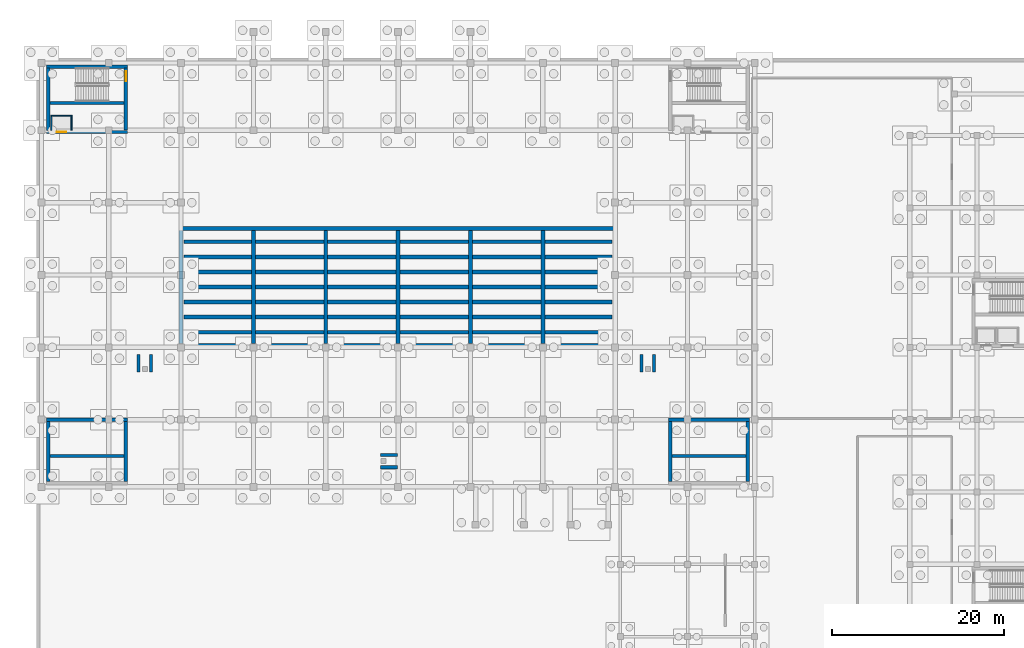
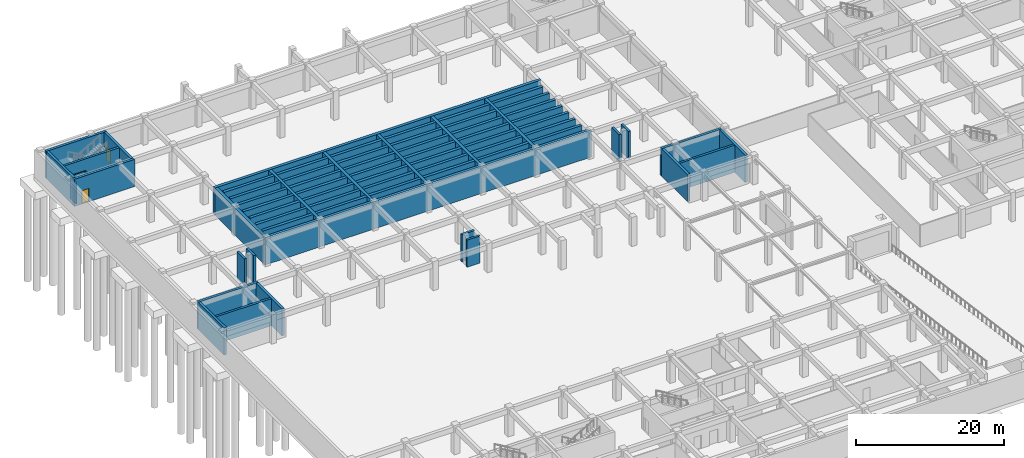
# One storey, part 20 of 35: 37 walls, 2 doors, 2 openings.
"""IFC4 building model written with IfcOpenShell, lengths in metres."""

import ifcopenshell
import ifcopenshell.guid

model = None  # the IFC model being written
_history = None  # IfcOwnerHistory: only IFC2X3 demands one
_inside = {}  # id of a spatial element -> (the spatial element, [elements in it])
_under = {}  # id of a project, library or spatial element -> (it, [spatial elements below it])
_declared = {}  # id of a project -> (the project, [libraries it declares])
_typed = {}  # id of a type object -> (the type object, [elements of that type])
_made_of = {}  # id of a material, layer set ... -> (it, [elements and type objects made of it])


def new_model(schema):
    """Start an empty IFC model of exactly this schema.

    Asked for "IFC4X3", IfcOpenShell would pick the latest addendum, in which some entities
    have other attributes; the version numbers below select the first issue.
    IFC2X3 requires an IfcOwnerHistory on every rooted entity: one is made here for all.
    """
    global model, _history
    if schema == "IFC4X3":
        model = ifcopenshell.file(schema_version=(4, 3, 0, 0))
    else:
        model = ifcopenshell.file(schema=schema)
    _inside.clear()
    _under.clear()
    _declared.clear()
    _typed.clear()
    _made_of.clear()
    _history = None
    if model.schema == "IFC2X3":
        org = make("IfcOrganization", Name="unknown")
        user = make(
            "IfcPersonAndOrganization",
            ThePerson=make("IfcPerson", FamilyName="unknown"),
            TheOrganization=org,
        )
        app = make(
            "IfcApplication",
            ApplicationDeveloper=org,
            Version="unknown",
            ApplicationFullName="unknown",
            ApplicationIdentifier="unknown",
        )
        _history = make(
            "IfcOwnerHistory",
            OwningUser=user,
            OwningApplication=app,
            ChangeAction="ADDED",
            CreationDate=0,
        )
    return model


def make(cls, **values):
    """One entity of the class cls with the attributes given. An attribute that is None is left unset."""
    return model.create_entity(
        cls, **{name: value for name, value in values.items() if value is not None}
    )


def rooted(cls, **values):
    """An entity with a GlobalId (a new one), such as an element, a storey or a relation."""
    return make(cls, GlobalId=ifcopenshell.guid.new(), OwnerHistory=_history, **values)


def si_unit(unit_type, name, prefix=None):
    """IfcSIUnit, for example si_unit("LENGTHUNIT", "METRE", prefix="MILLI")."""
    return make("IfcSIUnit", UnitType=unit_type, Prefix=prefix, Name=name)


def assignment(units):
    """IfcUnitAssignment: the units of a project."""
    return None if units is None else make("IfcUnitAssignment", Units=units)


def point(xyz):
    """IfcCartesianPoint."""
    return None if xyz is None else make("IfcCartesianPoint", Coordinates=xyz)


def direction(xyz):
    """IfcDirection."""
    return None if xyz is None else make("IfcDirection", DirectionRatios=xyz)


def frame(location, z_axis=None, x_axis=None):
    """IfcAxis2Placement3D, a coordinate frame: its origin and axes. An axis left out is left unset."""
    return make(
        "IfcAxis2Placement3D",
        Location=point(location),
        Axis=direction(z_axis),
        RefDirection=direction(x_axis),
    )


def frame_2d(location, x_axis=None):
    """IfcAxis2Placement2D, a coordinate frame in the plane: its origin and x axis."""
    return make(
        "IfcAxis2Placement2D", Location=point(location), RefDirection=direction(x_axis)
    )


def origin():
    """The frame at (0, 0, 0) with its axes left unset."""
    return frame((0.0, 0.0, 0.0))


def place(relative_to, where):
    """IfcLocalPlacement: puts the frame where relative to a parent placement (None: the world)."""
    return make(
        "IfcLocalPlacement", PlacementRelTo=relative_to, RelativePlacement=where
    )


def context(
    kind, dimensions, precision=None, world=None, true_north=None, identifier=None
):
    """IfcGeometricRepresentationContext, for example the 3D "Model" context."""
    return make(
        "IfcGeometricRepresentationContext",
        ContextIdentifier=identifier,
        ContextType=kind,
        CoordinateSpaceDimension=dimensions,
        Precision=precision,
        WorldCoordinateSystem=world,
        TrueNorth=true_north,
    )


def subcontext(parent, identifier, kind, view, scale=None):
    """IfcGeometricRepresentationSubContext, for example "Body" below "Model"."""
    return make(
        "IfcGeometricRepresentationSubContext",
        ContextIdentifier=identifier,
        ContextType=kind,
        ParentContext=parent,
        TargetScale=scale,
        TargetView=view,
    )


def project(units=None, contexts=None):
    """IfcProject with its units and contexts."""
    return rooted(
        "IfcProject",
        Name="project",
        RepresentationContexts=contexts,
        UnitsInContext=assignment(units),
    )


def spatial(cls, under=None, at=None, **own):
    """A site, building, storey or space (cls), placed at a placement, below another one or the project."""
    s = rooted(cls, ObjectPlacement=at, **own)
    if under is not None:
        _under.setdefault(under.id(), (under, []))[1].append(s)
    return s


def profile(cls, at=None, kind="AREA", **sizes):
    """A parametric profile (cls). Its sizes go by their IFC names, for example OverallWidth=200.0."""
    return make(cls, ProfileType=kind, Position=at, **sizes)


def rectangle(**sizes):
    """IfcRectangleProfileDef."""
    return profile("IfcRectangleProfileDef", **sizes)


def extrude(swept, where, along, depth):
    """IfcExtrudedAreaSolid: the profile swept, set in the frame where, extruded along a direction by depth."""
    return make(
        "IfcExtrudedAreaSolid",
        SweptArea=swept,
        Position=where,
        ExtrudedDirection=direction(along),
        Depth=depth,
    )


def shape(context_of_items, identifier, shape_type, items):
    """IfcShapeRepresentation: the items that make up one representation, for example the "Body"."""
    return make(
        "IfcShapeRepresentation",
        ContextOfItems=context_of_items,
        RepresentationIdentifier=identifier,
        RepresentationType=shape_type,
        Items=items,
    )


def material(Name=None, Category=None):
    """IfcMaterial."""
    return make("IfcMaterial", Name=Name, Category=Category)


def layer(
    of_material, thickness, ventilated=None, Name=None, Category=None, Priority=None
):
    """IfcMaterialLayer: one layer of a wall or slab, of a material (None: an air gap)."""
    return make(
        "IfcMaterialLayer",
        Material=of_material,
        LayerThickness=thickness,
        IsVentilated=ventilated,
        Name=Name,
        Category=Category,
        Priority=Priority,
    )


def layer_set(layers, Name=None):
    """IfcMaterialLayerSet."""
    return make("IfcMaterialLayerSet", MaterialLayers=layers, LayerSetName=Name)


def made_of(thing, what):
    """Note that an element or type object is made of a material, layer set ...; save() writes the relation."""
    if what is not None:
        _made_of.setdefault(what.id(), (what, []))[1].append(thing)
    return thing


def type_object(cls, material=None, **own):
    """A type object (cls), such as IfcWallType, which elements share."""
    return made_of(rooted(cls, **own), material)


def element(
    cls,
    number,
    at=None,
    inside=None,
    cuts=None,
    type_object=None,
    material=None,
    context=None,
    identifier="Body",
    shape_type=None,
    held_by="IfcProductDefinitionShape",
    body=None,
    shapes=None,
    **own,
):
    """One element of the class cls, such as IfcWall. Its Tag is "e" and its number.

    at: its placement. inside: the storey or other place that contains it. cuts: it is an
    opening in that element (IfcRelVoidsElement). A single representation is given by context,
    identifier, shape_type and body (its items); several are given by shapes. held_by: the class
    of the entity that holds the representations. save() writes the other relations.
    """
    e = rooted(cls, Tag="e%d" % number, ObjectPlacement=at, **own)
    if body is not None:
        shapes = [shape(context, identifier, shape_type, body)]
    if shapes is not None:
        e.Representation = make(held_by, Representations=shapes)
    if inside is not None:
        _inside.setdefault(inside.id(), (inside, []))[1].append(e)
    if cuts is not None:
        rooted(
            "IfcRelVoidsElement", RelatingBuildingElement=cuts, RelatedOpeningElement=e
        )
    if type_object is not None:
        _typed.setdefault(type_object.id(), (type_object, []))[1].append(e)
    return made_of(e, material)


def fill(opening, filler):
    """IfcRelFillsElement: the door or window that sits in an opening."""
    return rooted(
        "IfcRelFillsElement",
        RelatingOpeningElement=opening,
        RelatedBuildingElement=filler,
    )


def aggregate(whole, parts):
    """IfcRelAggregates: a whole, such as a stair, and the parts it consists of."""
    return rooted("IfcRelAggregates", RelatingObject=whole, RelatedObjects=parts)


def save(model, path):
    """Write the relations noted so far, then the file.

    IfcRelAggregates (storeys below a building ...), IfcRelContainedInSpatialStructure (elements
    in a storey), IfcRelDefinesByType, IfcRelAssociatesMaterial and IfcRelDeclares: one each for
    every whole, place, type object, material and project.
    """
    for whole, parts in _under.values():
        aggregate(whole, parts)
    for where, things in _inside.values():
        rooted(
            "IfcRelContainedInSpatialStructure",
            RelatedElements=things,
            RelatingStructure=where,
        )
    for kind, things in _typed.values():
        rooted("IfcRelDefinesByType", RelatedObjects=things, RelatingType=kind)
    for what, things in _made_of.values():
        rooted("IfcRelAssociatesMaterial", RelatedObjects=things, RelatingMaterial=what)
    for by, libraries in _declared.values():
        rooted("IfcRelDeclares", RelatingContext=by, RelatedDefinitions=libraries)
    model.write(path)


model = new_model("IFC4")

# Units and contexts
model_context = context("Model", 3, precision=1e-05, world=origin(), true_north=direction((0.0, 1.0)))
body_context = subcontext(model_context, "Body", "Model", "MODEL_VIEW")
ifc_project = project(units=[si_unit("LENGTHUNIT", "METRE"), si_unit("AREAUNIT", "SQUARE_METRE"), si_unit("VOLUMEUNIT", "CUBIC_METRE"), si_unit("PLANEANGLEUNIT", "RADIAN"), si_unit("MASSUNIT", "GRAM", prefix="KILO")], contexts=[model_context])

# Site, building, storey
site_placement = place(None, origin())
site = spatial("IfcSite", under=ifc_project, at=site_placement, CompositionType="ELEMENT")
building_placement = place(site_placement, origin())
building = spatial("IfcBuilding", under=site, at=building_placement, Name="Zayran Congress Hotel", CompositionType="ELEMENT")
storey_placement = place(building_placement, frame((0.0, 0.0, -4.800048828125)))
storey = spatial("IfcBuildingStorey", under=building, at=storey_placement, Name="B1", CompositionType="ELEMENT", Elevation=-4.800048828125)

# Walls
ifc_material_1 = material(Name="Concrete C32/40", Category="concrete")
ifc_layer_1 = layer(ifc_material_1, 0.449951171875)
ifc_layer_set_1 = layer_set([ifc_layer_1], Name="Concrete C32/40")
wall_type_1 = type_object("IfcWallType", Name="WL-RT-450", PredefinedType="USERDEFINED", material=ifc_layer_set_1)
for number, where, z_axis, x_axis, name in (
    (1, (24.97509765625, 84.625, 0.0), (0.0, 0.0, 1.0), (1.0, 0.0, 0.0), "RKWALL-B1-BACK"),
    (2, (24.97509765625, 98.175048828125, 0.0), (0.0, 0.0, 1.0), (1.0, 0.0, 0.0), "RKWALL-B1-FRONT"),
):
    element("IfcWall", number, at=place(storey_placement, frame(where, z_axis=z_axis, x_axis=x_axis)), inside=storey, type_object=wall_type_1, Name=name, ObjectType="RETAININGWALL", PredefinedType="USERDEFINED", context=body_context, shape_type="SweptSolid", body=[
        extrude(rectangle(XDim=50.849853515625, YDim=0.449951171875, at=frame_2d((25.4248046875, 0.0))), origin(), (0.0, 0.0, 1.0), 4.47998046875),
    ])
for number, where, z_axis, x_axis, name in (
    (3, (25.199951171875, 84.85009765625, 0.0), (0.0, 0.0, 1.0), (0.0, 1.0, 0.0), "RKWALL-B1-25"),
    (4, (33.60009765625, 84.85009765625, 0.0), (0.0, 0.0, 1.0), (0.0, 1.0, 0.0), "RKWALL-B1-33"),
    (5, (42.0, 84.85009765625, 0.0), (0.0, 0.0, 1.0), (0.0, 1.0, 0.0), "RKWALL-B1-42"),
    (6, (50.39990234375, 84.85009765625, 0.0), (0.0, 0.0, 1.0), (0.0, 1.0, 0.0), "RKWALL-B1-50"),
    (7, (58.800048828125, 84.85009765625, 0.0), (0.0, 0.0, 1.0), (0.0, 1.0, 0.0), "RKWALL-B1-58"),
    (8, (67.199951171875, 84.85009765625, 0.0), (0.0, 0.0, 1.0), (0.0, 1.0, 0.0), "RKWALL-B1-67"),
):
    element("IfcWall", number, at=place(storey_placement, frame(where, z_axis=z_axis, x_axis=x_axis)), inside=storey, type_object=wall_type_1, Name=name, ObjectType="RETAININGWALL", PredefinedType="USERDEFINED", context=body_context, shape_type="SweptSolid", body=[
        extrude(rectangle(XDim=13.099853515625, YDim=0.449951171875, at=frame_2d((6.5498046875, 0.0))), origin(), (0.0, 0.0, 1.0), 4.47998046875),
    ])
for number, where, z_axis, x_axis, name in (
    (9, (25.550048828125, 86.14990234375, 0.0), (0.0, 0.0, 1.0), (1.0, 0.0, 0.0), "RKWALL-B1-TJ1"),
    (10, (25.550048828125, 87.89990234375, 0.0), (0.0, 0.0, 1.0), (1.0, 0.0, 0.0), "RKWALL-B1-TJ2"),
    (11, (25.550048828125, 89.64990234375, 0.0), (0.0, 0.0, 1.0), (1.0, 0.0, 0.0), "RKWALL-B1-TJ3"),
    (12, (25.550048828125, 91.39990234375, 0.0), (0.0, 0.0, 1.0), (1.0, 0.0, 0.0), "RKWALL-B1-TJ4"),
    (13, (25.550048828125, 93.14990234375, 0.0), (0.0, 0.0, 1.0), (1.0, 0.0, 0.0), "RKWALL-B1-TJ5"),
    (14, (25.550048828125, 94.89990234375, 0.0), (0.0, 0.0, 1.0), (1.0, 0.0, 0.0), "RKWALL-B1-TJ6"),
    (15, (25.550048828125, 96.64990234375, 0.0), (0.0, 0.0, 1.0), (1.0, 0.0, 0.0), "RKWALL-B1-TJ7"),
):
    element("IfcWall", number, at=place(storey_placement, frame(where, z_axis=z_axis, x_axis=x_axis)), inside=storey, type_object=wall_type_1, Name=name, ObjectType="RETAININGWALL", PredefinedType="USERDEFINED", context=body_context, shape_type="SweptSolid", body=[
        extrude(rectangle(XDim=49.699951171875, YDim=0.449951171875, at=frame_2d((24.85009765625, 0.0))), origin(), (0.0, 0.0, 1.0), 4.47998046875),
    ])

# Wall, opening, door
ifc_material_2 = material(Name="Concrete C40/50", Category="concrete")
ifc_layer_2 = layer(ifc_material_2, 0.39990234375)
ifc_layer_set_2 = layer_set([ifc_layer_2], Name="Concrete C40/50")
wall_type_2 = type_object("IfcWallType", Name="WL-SH-400", PredefinedType="SHEAR", material=ifc_layer_set_2)
wall_1_placement = place(storey_placement, frame((9.60009765625, 109.39990234375, 0.0), z_axis=(0.0, 0.0, 1.0), x_axis=(1.0, 0.0, 0.0)))
wall_1 = element("IfcWall", 16, at=wall_1_placement, inside=storey, type_object=wall_type_2, Name="CWALL-C-V1W-B1-S", PredefinedType="SHEAR", context=body_context, shape_type="SweptSolid", body=[
    extrude(rectangle(XDim=9.39990234375, YDim=0.39990234375, at=frame_2d((4.699951171875, 0.0))), origin(), (0.0, 0.0, 1.0), 4.47998046875),
])
opening_1_placement = place(wall_1_placement, frame((1.14990234375, 0.0, 0.0)))
opening_1 = element("IfcOpeningElement", 17, at=opening_1_placement, cuts=wall_1, Name="Opening LD-PL04", PredefinedType="OPENING", context=body_context, shape_type="SweptSolid", body=[
    extrude(rectangle(XDim=1.10009765625, YDim=2.199951171875, at=frame_2d((0.550048828125, 1.10009765625))), frame((0.0, 0.2099609375, 0.0), z_axis=(0.0, -1.0, 0.0), x_axis=(1.0, 0.0, 0.0)), (0.0, 0.0, 1.0), 0.419921875),
])
ifc_material_3 = material(Name="Brushed stainless steel sliding lift landing door", Category="steel")
door_type_1 = type_object("IfcDoorType", Name="TP-DR-LD-01", OperationType="DOUBLE_DOOR_SLIDING", PredefinedType="DOOR", material=ifc_material_3)
door_1_placement = place(opening_1_placement, origin())
door_1 = element("IfcDoor", 18, at=door_1_placement, inside=storey, type_object=door_type_1, Name="Lift PL-04 Sliding Landing Door B1", OperationType="DOUBLE_DOOR_SLIDING", OverallHeight=2.199951171875, OverallWidth=1.10009765625, PredefinedType="DOOR", context=body_context, shape_type="SweptSolid", body=[
    extrude(rectangle(XDim=1.10009765625, YDim=2.199951171875, at=frame_2d((0.550048828125, 1.10009765625))), frame((0.0, 0.02490234375, 0.0), z_axis=(0.0, -1.0, 0.0), x_axis=(1.0, 0.0, 0.0)), (0.0, 0.0, 1.0), 0.050048828125),
])
fill(opening_1, door_1)

# Walls
wall_2_placement = place(storey_placement, frame((19.0, 116.985107421875, 0.0), z_axis=(0.0, 0.0, 1.0), x_axis=(-1.0, 0.0, 0.0)))
element("IfcWall", 19, at=wall_2_placement, inside=storey, type_object=wall_type_2, Name="CWALL-C-V1W-B1-N", PredefinedType="SHEAR", context=body_context, shape_type="SweptSolid", body=[
    extrude(rectangle(XDim=9.39990234375, YDim=0.39990234375, at=frame_2d((4.699951171875, 0.0))), origin(), (0.0, 0.0, 1.0), 4.47998046875),
])
wall_3_placement = place(storey_placement, frame((9.800048828125, 116.800048828125, 0.0), z_axis=(0.0, 0.0, 1.0), x_axis=(0.0, -1.0, 0.0)))
element("IfcWall", 20, at=wall_3_placement, inside=storey, type_object=wall_type_2, Name="CWALL-C-V1W-B1-W", PredefinedType="SHEAR", context=body_context, shape_type="SweptSolid", body=[
    extrude(rectangle(XDim=7.199951171875, YDim=0.39990234375, at=frame_2d((3.60009765625, 0.0))), origin(), (0.0, 0.0, 1.0), 4.47998046875),
])

# Wall, opening, door
wall_4_placement = place(storey_placement, frame((18.800048828125, 109.60009765625, 0.0), z_axis=(0.0, 0.0, 1.0), x_axis=(0.0, 1.0, 0.0)))
wall_4 = element("IfcWall", 21, at=wall_4_placement, inside=storey, type_object=wall_type_2, Name="CWALL-C-V1W-B1-E", PredefinedType="SHEAR", context=body_context, shape_type="SweptSolid", body=[
    extrude(rectangle(XDim=7.199951171875, YDim=0.39990234375, at=frame_2d((3.60009765625, 0.0))), origin(), (0.0, 0.0, 1.0), 4.47998046875),
])
opening_2_placement = place(wall_4_placement, frame((5.699951171875, 0.0, 0.0)))
opening_2 = element("IfcOpeningElement", 22, at=opening_2_placement, cuts=wall_4, Name="Opening DR-FD-90", PredefinedType="OPENING", context=body_context, shape_type="SweptSolid", body=[
    extrude(rectangle(XDim=1.14990234375, YDim=2.199951171875, at=frame_2d((0.574951171875, 1.10009765625))), frame((0.0, 0.2099609375, 0.0), z_axis=(0.0, -1.0, 0.0), x_axis=(1.0, 0.0, 0.0)), (0.0, 0.0, 1.0), 0.419921875),
])
ifc_material_4 = material(Name="Painted steel fire door assembly", Category="steel")
door_type_2 = type_object("IfcDoorType", Name="TP-DR-FD-90", OperationType="NOTDEFINED", PredefinedType="DOOR", material=ifc_material_4)
door_2_placement = place(opening_2_placement, origin())
door_2 = element("IfcDoor", 23, at=door_2_placement, inside=storey, type_object=door_type_2, Name="ST-03 Exit Stair Door B1", OperationType="SINGLE_SWING_RIGHT", OverallHeight=2.199951171875, OverallWidth=1.14990234375, PredefinedType="DOOR", context=body_context, shape_type="SweptSolid", body=[
    extrude(rectangle(XDim=1.14990234375, YDim=2.199951171875, at=frame_2d((0.574951171875, 1.10009765625))), frame((0.0, 0.02490234375, 0.0), z_axis=(0.0, -1.0, 0.0), x_axis=(1.0, 0.0, 0.0)), (0.0, 0.0, 1.0), 0.050048828125),
])
fill(opening_2, door_2)

# Walls
wall_5_placement = place(storey_placement, frame((19.0, 75.985107421875, 0.0), z_axis=(0.0, 0.0, 1.0), x_axis=(-1.0, 0.0, 0.0)))
element("IfcWall", 24, at=wall_5_placement, inside=storey, type_object=wall_type_2, Name="CWALL-C-V1S-B1-N", PredefinedType="SHEAR", context=body_context, shape_type="SweptSolid", body=[
    extrude(rectangle(XDim=9.39990234375, YDim=0.39990234375, at=frame_2d((4.699951171875, 0.0))), origin(), (0.0, 0.0, 1.0), 4.47998046875),
])
for number, where, z_axis, x_axis, name in (
    (25, (9.800048828125, 75.800048828125, 0.0), (0.0, 0.0, 1.0), (0.0, -1.0, 0.0), "CWALL-C-V1S-B1-W"),
    (26, (18.800048828125, 68.800048828125, 0.0), (0.0, 0.0, 1.0), (0.0, 1.0, 0.0), "CWALL-C-V1S-B1-E"),
):
    element("IfcWall", number, at=place(storey_placement, frame(where, z_axis=z_axis, x_axis=x_axis)), inside=storey, type_object=wall_type_2, Name=name, PredefinedType="SHEAR", context=body_context, shape_type="SweptSolid", body=[
        extrude(rectangle(XDim=7.0, YDim=0.39990234375, at=frame_2d((3.5, 0.0))), origin(), (0.0, 0.0, 1.0), 4.47998046875),
    ])
wall_6_placement = place(storey_placement, frame((91.199951171875, 75.985107421875, 0.0), z_axis=(0.0, 0.0, 1.0), x_axis=(-1.0, 0.0, 0.0)))
element("IfcWall", 27, at=wall_6_placement, inside=storey, type_object=wall_type_2, Name="CWALL-C-V1F-B1-N", PredefinedType="SHEAR", context=body_context, shape_type="SweptSolid", body=[
    extrude(rectangle(XDim=9.39990234375, YDim=0.39990234375, at=frame_2d((4.699951171875, 0.0))), origin(), (0.0, 0.0, 1.0), 4.47998046875),
])
for number, where, z_axis, x_axis, name in (
    (28, (82.0, 75.800048828125, 0.0), (0.0, 0.0, 1.0), (0.0, -1.0, 0.0), "CWALL-C-V1F-B1-W"),
    (29, (91.0, 68.800048828125, 0.0), (0.0, 0.0, 1.0), (0.0, 1.0, 0.0), "CWALL-C-V1F-B1-E"),
):
    element("IfcWall", number, at=place(storey_placement, frame(where, z_axis=z_axis, x_axis=x_axis)), inside=storey, type_object=wall_type_2, Name=name, PredefinedType="SHEAR", context=body_context, shape_type="SweptSolid", body=[
        extrude(rectangle(XDim=7.0, YDim=0.39990234375, at=frame_2d((3.5, 0.0))), origin(), (0.0, 0.0, 1.0), 4.47998046875),
    ])
ifc_layer_3 = layer(ifc_material_2, 0.35009765625)
ifc_layer_set_3 = layer_set([ifc_layer_3], Name="Concrete C40/50")
wall_type_3 = type_object("IfcWallType", Name="WL-SH-350", PredefinedType="SHEAR", material=ifc_layer_set_3)
for number, where, z_axis, x_axis, name in (
    (30, (10.0, 112.784912109375, 0.0), (0.0, 0.0, 1.0), (1.0, 0.0, 0.0), "CWALL-C-V1W-B1-SPN"),
    (31, (10.0, 71.784912109375, 0.0), (0.0, 0.0, 1.0), (1.0, 0.0, 0.0), "CWALL-C-V1S-B1-SPN"),
    (32, (82.199951171875, 71.784912109375, 0.0), (0.0, 0.0, 1.0), (1.0, 0.0, 0.0), "CWALL-C-V1F-B1-SPN"),
):
    element("IfcWall", number, at=place(storey_placement, frame(where, z_axis=z_axis, x_axis=x_axis)), inside=storey, type_object=wall_type_3, Name=name, PredefinedType="SHEAR", context=body_context, shape_type="SweptSolid", body=[
        extrude(rectangle(XDim=8.60009765625, YDim=0.35009765625, at=frame_2d((4.300048828125, 0.0))), origin(), (0.0, 0.0, 1.0), 4.47998046875),
    ])
for number, where, z_axis, x_axis, name in (
    (33, (21.72509765625, 81.550048828125, 0.0), (0.0, 0.0, 1.0), (0.0, 1.0, 0.0), "VWALL-B1SUP-01-R"),
    (34, (20.27490234375, 81.550048828125, 0.0), (0.0, 0.0, 1.0), (0.0, 1.0, 0.0), "VWALL-B1SUP-01-L"),
    (35, (80.125, 81.550048828125, 0.0), (0.0, 0.0, 1.0), (0.0, 1.0, 0.0), "VWALL-B1SUP-02-R"),
    (36, (78.675048828125, 81.550048828125, 0.0), (0.0, 0.0, 1.0), (0.0, 1.0, 0.0), "VWALL-B1SUP-02-L"),
    (37, (48.35009765625, 70.47509765625, 0.0), (0.0, 0.0, 1.0), (1.0, 0.0, 0.0), "VWALL-B1SUP-03-R"),
    (38, (48.35009765625, 71.925048828125, 0.0), (0.0, 0.0, 1.0), (1.0, 0.0, 0.0), "VWALL-B1SUP-03-L"),
):
    element("IfcWall", number, at=place(storey_placement, frame(where, z_axis=z_axis, x_axis=x_axis)), inside=storey, type_object=wall_type_3, Name=name, PredefinedType="SHEAR", context=body_context, shape_type="SweptSolid", body=[
        extrude(rectangle(XDim=2.0, YDim=0.35009765625, at=frame_2d((1.0, 0.0))), origin(), (0.0, 0.0, 1.0), 4.47998046875),
    ])
ifc_material_5 = material(Name="Hospitality guestroom acoustic partition", Category="gypsum")
ifc_layer_4 = layer(ifc_material_5, 0.139892578125)
ifc_layer_set_4 = layer_set([ifc_layer_4], Name="Hospitality guestroom acoustic partition")
wall_type_4 = type_object("IfcWallType", Name="WL-PT-140", PredefinedType="PARTITIONING", material=ifc_layer_set_4)
for number, where, z_axis, x_axis, name in (
    (39, (10.1298828125, 109.60009765625, 0.0), (0.0, 0.0, 1.0), (0.0, 1.0, 0.0), "LSHW-C-V1W-B1-W"),
    (40, (12.469970703125, 109.60009765625, 0.0), (0.0, 0.0, 1.0), (0.0, 1.0, 0.0), "LSHW-C-V1W-B1-E"),
):
    element("IfcWall", number, at=place(storey_placement, frame(where, z_axis=z_axis, x_axis=x_axis)), inside=storey, type_object=wall_type_4, Name=name, PredefinedType="PARTITIONING", context=body_context, shape_type="SweptSolid", body=[
        extrude(rectangle(XDim=1.599853515625, YDim=0.139892578125, at=frame_2d((0.7998046875, 0.0))), origin(), (0.0, 0.0, 1.0), 3.630126953125),
    ])
wall_7_placement = place(storey_placement, frame((10.06005859375, 111.27001953125, 0.0), z_axis=(0.0, 0.0, 1.0), x_axis=(1.0, 0.0, 0.0)))
element("IfcWall", 41, at=wall_7_placement, inside=storey, type_object=wall_type_4, Name="LSHW-C-V1W-B1-N", PredefinedType="PARTITIONING", context=body_context, shape_type="SweptSolid", body=[
    extrude(rectangle(XDim=2.47998046875, YDim=0.139892578125, at=frame_2d((1.239990234375, 0.0))), origin(), (0.0, 0.0, 1.0), 3.630126953125),
])

save(model, "model.ifc")
